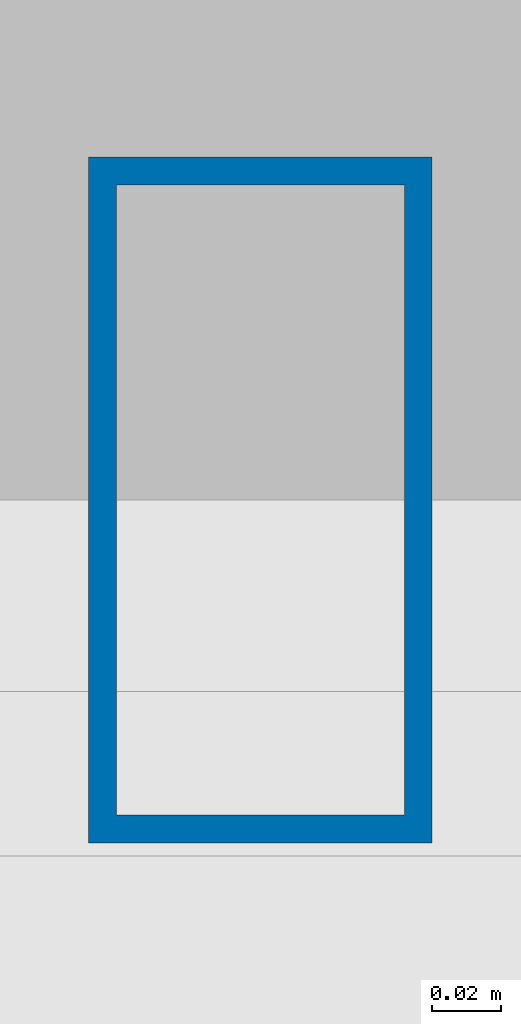
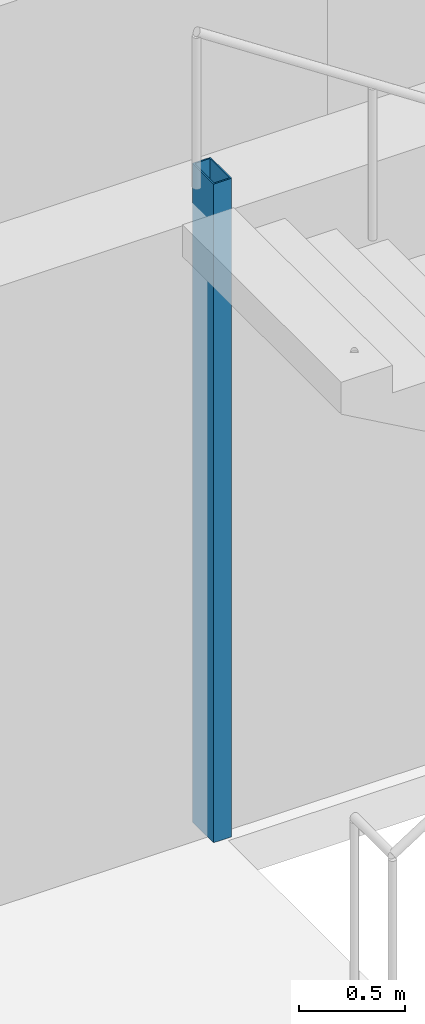
# One storey, part 2 of 17: 1 column.
"""IFC4 building model written with IfcOpenShell, lengths in metres."""

from ifc_helpers import new_model, si_unit, direction, frame, origin, origin_2d, place, context, subcontext, project, spatial, hollow_rectangle, extrude, material, material_profile, profile_set, type_object, element, save


model = new_model("IFC4")

# Units and contexts
model_context = context("Model", 3, precision=1e-05, world=origin(), true_north=direction((0.0, 1.0)))
body_context = subcontext(model_context, "Body", "Model", "MODEL_VIEW")
ifc_project = project(units=[si_unit("LENGTHUNIT", "METRE"), si_unit("AREAUNIT", "SQUARE_METRE"), si_unit("VOLUMEUNIT", "CUBIC_METRE"), si_unit("PLANEANGLEUNIT", "RADIAN"), si_unit("MASSUNIT", "GRAM", prefix="KILO")], contexts=[model_context])

# Site, building, storey
site_placement = place(None, origin())
site = spatial("IfcSite", under=ifc_project, at=site_placement, CompositionType="ELEMENT")
building_placement = place(site_placement, origin())
building = spatial("IfcBuilding", under=site, at=building_placement, Name="Menara Jurai Vektor", CompositionType="ELEMENT")
storey_placement = place(building_placement, frame((0.0, 0.0, 21.800048828125)))
storey = spatial("IfcBuildingStorey", under=building, at=storey_placement, Name="L04", CompositionType="ELEMENT", Elevation=21.800048828125)

# Column
ifc_material = material(Name="Steel S355", Category="steel")
ifc_material_profile = material_profile(ifc_material, hollow_rectangle(XDim=0.10009765625, YDim=0.199951171875, WallThickness=0.008056640625, at=origin_2d()), Name="RHS 200x100x8")
ifc_profile_set = profile_set([ifc_material_profile], Name="Steel S355")
column_type = type_object("IfcColumnType", Name="STR-COL-STAIR", PredefinedType="COLUMN", material=ifc_profile_set)
column_placement = place(storey_placement, frame((-11.1201171875, 5.419921875, 0.0), z_axis=(0.0, 0.0, 1.0), x_axis=(1.0, 0.0, 0.0)))
element("IfcColumn", 1, at=column_placement, inside=storey, type_object=column_type, Name="Stair Well Header Column ST1-P2 L04", PredefinedType="COLUMN", context=body_context, shape_type="SweptSolid", body=[
    extrude(hollow_rectangle(XDim=0.10009765625, YDim=0.199951171875, WallThickness=0.008056640625, at=origin_2d()), origin(), (0.0, 0.0, 1.0), 3.800048828125),
])

save(model, "model.ifc")
